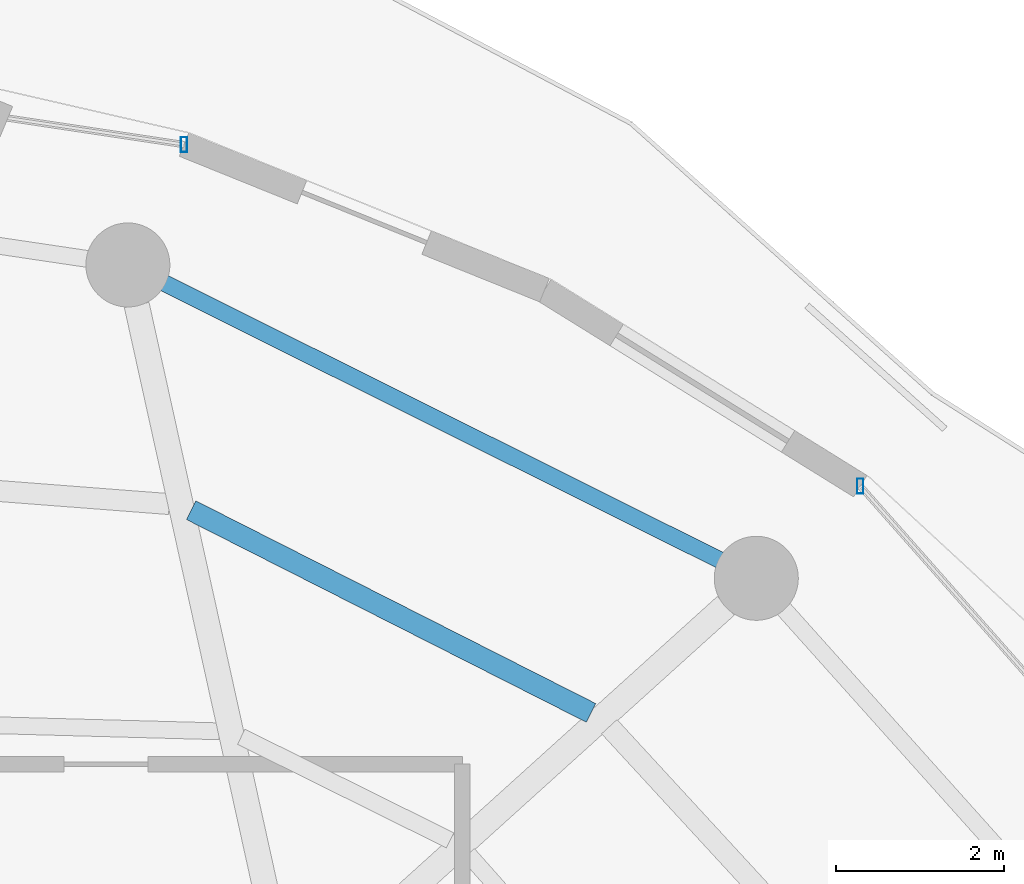
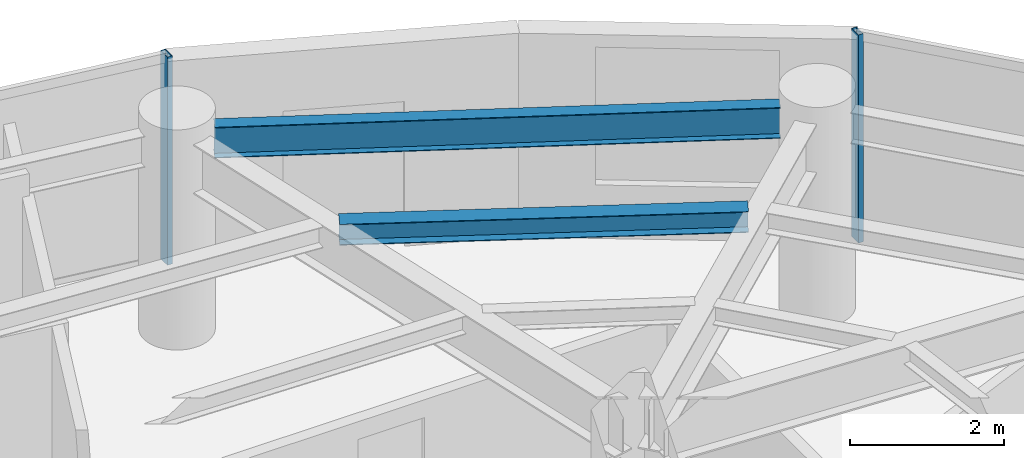
# One storey, part 18 of 28: 2 beams, 2 members, 2 elements without a shape of their own.
"""IFC4 building model written with IfcOpenShell, lengths in metres."""

from ifc_helpers import new_model, si_unit, direction, frame, origin, origin_2d, place, context, subcontext, project, spatial, hollow_rectangle, i_section, extrude, material, material_profile, profile_set, type_object, element, aggregate, save


model = new_model("IFC4")

# Units and contexts
model_context = context("Model", 3, precision=1e-05, world=origin(), true_north=direction((0.0, 1.0)))
body_context = subcontext(model_context, "Body", "Model", "MODEL_VIEW")
ifc_project = project(units=[si_unit("LENGTHUNIT", "METRE"), si_unit("AREAUNIT", "SQUARE_METRE"), si_unit("VOLUMEUNIT", "CUBIC_METRE"), si_unit("PLANEANGLEUNIT", "RADIAN"), si_unit("MASSUNIT", "GRAM", prefix="KILO")], contexts=[model_context])

# Site, building, storey
site_placement = place(None, origin())
site = spatial("IfcSite", under=ifc_project, at=site_placement, CompositionType="ELEMENT")
building_placement = place(site_placement, origin())
building = spatial("IfcBuilding", under=site, at=building_placement, Name="Vorneva Point Tower", CompositionType="ELEMENT")
storey_placement = place(building_placement, frame((0.0, 0.0, 160.60009765625)))
storey = spatial("IfcBuildingStorey", under=building, at=storey_placement, Name="L43", CompositionType="ELEMENT", Elevation=160.60009765625)

# Beams
ifc_material_1 = material(Name="Steel S355", Category="steel")
ifc_material_profile_1 = material_profile(ifc_material_1, i_section(OverallWidth=0.2490234375, OverallDepth=0.333984375, WebThickness=0.008056640625, FlangeThickness=0.010986328125, at=origin_2d()), Name="35Sh1")
ifc_profile_set_1 = profile_set([ifc_material_profile_1], Name="Steel S355")
beam_type_1 = type_object("IfcBeamType", Name="BM-SEC-35Sh1", PredefinedType="BEAM", material=ifc_profile_set_1)
beam_1_placement = place(storey_placement, frame((52.333251953125, 36.560302734375, 3.072998046875), z_axis=(-0.891979436535, 0.452075972375, 0.0), x_axis=(-0.452075972375, -0.891979436535, 0.0)))
element("IfcBeam", 1, at=beam_1_placement, inside=storey, type_object=beam_type_1, Name="L43 Secondary Floor Beam 1.03", PredefinedType="BEAM", context=body_context, shape_type="SweptSolid", body=[
    extrude(i_section(OverallWidth=0.2490234375, OverallDepth=0.333984375, WebThickness=0.008056640625, FlangeThickness=0.010986328125, at=origin_2d()), origin(), (0.0, 0.0, 1.0), 5.335205078125),
])
ifc_material_profile_2 = material_profile(ifc_material_1, i_section(OverallWidth=0.199951171875, OverallDepth=0.491943359375, WebThickness=0.0087890625, FlangeThickness=0.011962890625, at=origin_2d()), Name="50B1")
ifc_profile_set_2 = profile_set([ifc_material_profile_2], Name="Steel S355")
beam_type_2 = type_object("IfcBeamType", Name="BM-SPN-50B1", PredefinedType="SPANDREL", material=ifc_profile_set_2)
beam_2_placement = place(storey_placement, frame((53.86474609375, 38.378662109375, 2.993896484375), z_axis=(-0.894929061397, 0.446208443518, 0.0), x_axis=(-0.446208443518, -0.894929061397, 0.0)))
element("IfcBeam", 2, at=beam_2_placement, inside=storey, type_object=beam_type_2, Name="L43 Perimeter Spandrel Ring Beam 03", PredefinedType="SPANDREL", context=body_context, shape_type="SweptSolid", body=[
    extrude(i_section(OverallWidth=0.199951171875, OverallDepth=0.491943359375, WebThickness=0.0087890625, FlangeThickness=0.011962890625, at=origin_2d()), origin(), (0.0, 0.0, 1.0), 7.385986328125),
])

# Curtain wall, member
ifc_material_2 = material(Name="Pale anodised aluminium", Category="aluminium")
curtain_wall_type = type_object("IfcCurtainWallType", Name="CW-RES-SYS", PredefinedType="NOTDEFINED", material=ifc_material_2)
curtain_wall_1_placement = place(storey_placement, origin())
curtain_wall_1 = element("IfcCurtainWall", 3, at=curtain_wall_1_placement, inside=storey, type_object=curtain_wall_type, Name="L43 Unitised Curtain Wall CW-L43-R01", PredefinedType="NOTDEFINED")
ifc_material_profile_3 = material_profile(ifc_material_2, hollow_rectangle(XDim=0.074951171875, YDim=0.179931640625, WallThickness=0.00390625, at=origin_2d()), Name="AL-MUL 180x75x4")
ifc_profile_set_3 = profile_set([ifc_material_profile_3], Name="Pale anodised aluminium")
member_type = type_object("IfcMemberType", Name="CW-MUL-180", PredefinedType="MULLION", material=ifc_profile_set_3)
member_1_placement = place(storey_placement, frame((55.5361328125, 39.25830078125, -0.0400390625), z_axis=(0.0, 0.0, 1.0), x_axis=(1.0, 0.0, 0.0)))
member_1 = element("IfcMember", 4, at=member_1_placement, type_object=member_type, Name="CW-L43-R01 Mullion 05", PredefinedType="MULLION", context=body_context, shape_type="SweptSolid", body=[
    extrude(hollow_rectangle(XDim=0.074951171875, YDim=0.179931640625, WallThickness=0.00390625, at=origin_2d()), origin(), (0.0, 0.0, 1.0), 3.31005859375),
])
aggregate(curtain_wall_1, [member_1])

curtain_wall_2_placement = place(storey_placement, origin())
curtain_wall_2 = element("IfcCurtainWall", 5, at=curtain_wall_2_placement, inside=storey, type_object=curtain_wall_type, Name="L43 Unitised Curtain Wall CW-L43-R02", PredefinedType="NOTDEFINED")
member_2_placement = place(storey_placement, frame((47.490478515625, 43.32275390625, -0.0400390625), z_axis=(0.0, 0.0, 1.0), x_axis=(1.0, 0.0, 0.0)))
member_2 = element("IfcMember", 6, at=member_2_placement, type_object=member_type, Name="CW-L43-R02 Mullion 01", PredefinedType="MULLION", context=body_context, shape_type="SweptSolid", body=[
    extrude(hollow_rectangle(XDim=0.074951171875, YDim=0.179931640625, WallThickness=0.00390625, at=origin_2d()), origin(), (0.0, 0.0, 1.0), 3.31005859375),
])
aggregate(curtain_wall_2, [member_2])

save(model, "model.ifc")
